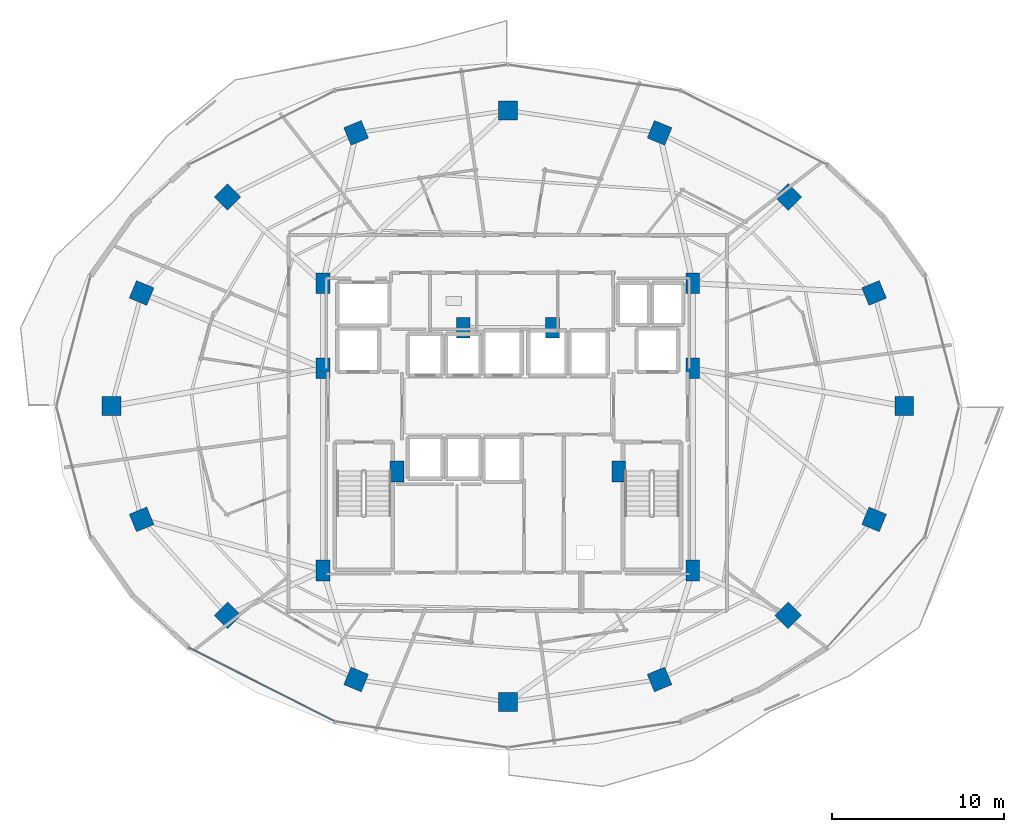
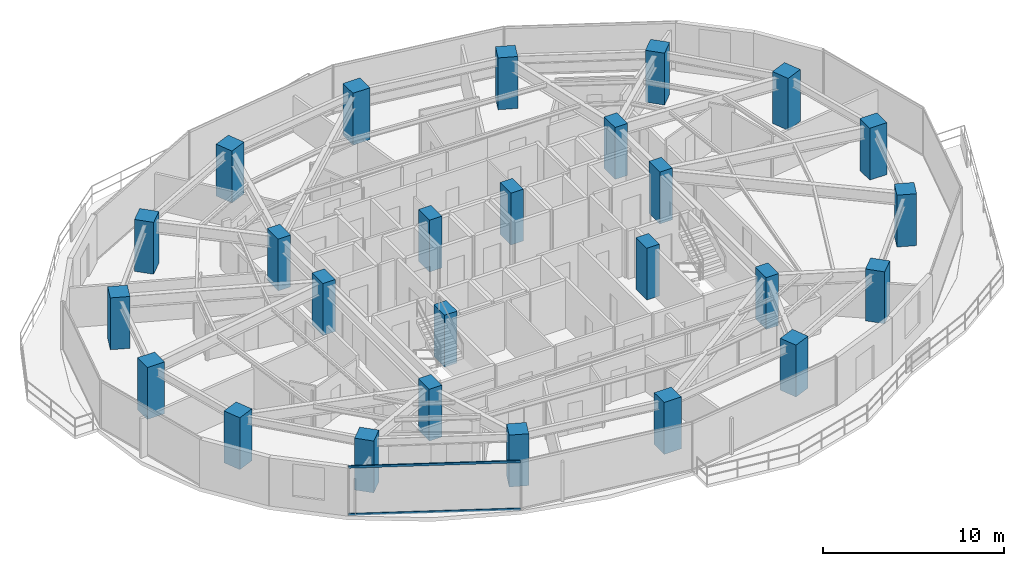
# One storey, part 1 of 30: 26 columns, 2 members, 1 element without a shape of its own.
"""IFC4 building model written with IfcOpenShell, lengths in metres."""

from ifc_helpers import new_model, si_unit, direction, frame, origin, origin_2d, place, context, subcontext, project, spatial, rectangle, hollow_rectangle, extrude, material, material_profile, profile_set, type_object, element, aggregate, save


model = new_model("IFC4")

# Units and contexts
model_context = context("Model", 3, precision=1e-05, world=origin(), true_north=direction((0.0, 1.0)))
body_context = subcontext(model_context, "Body", "Model", "MODEL_VIEW")
ifc_project = project(units=[si_unit("LENGTHUNIT", "METRE"), si_unit("AREAUNIT", "SQUARE_METRE"), si_unit("VOLUMEUNIT", "CUBIC_METRE"), si_unit("PLANEANGLEUNIT", "RADIAN"), si_unit("MASSUNIT", "GRAM", prefix="KILO")], contexts=[model_context])

# Site, building, storey
site_placement = place(None, origin())
site = spatial("IfcSite", under=ifc_project, at=site_placement, CompositionType="ELEMENT")
building_placement = place(site_placement, origin())
building = spatial("IfcBuilding", under=site, at=building_placement, Name="Vorneva Point Tower", CompositionType="ELEMENT")
storey_placement = place(building_placement, frame((0.0, 0.0, 89.300048828125)))
storey = spatial("IfcBuildingStorey", under=building, at=storey_placement, Name="L23", CompositionType="ELEMENT", Elevation=89.300048828125)

# Columns
ifc_material_1 = material(Name="Concrete B60 (C50/60)", Category="concrete")
ifc_material_profile_1 = material_profile(ifc_material_1, rectangle(XDim=1.10009765625, YDim=1.10009765625, at=origin_2d()), Name="RC-COL 1100x1100")
ifc_profile_set_1 = profile_set([ifc_material_profile_1], Name="Concrete B60 (C50/60)")
column_type_1 = type_object("IfcColumnType", Name="COL-RC1100", PredefinedType="COLUMN", material=ifc_profile_set_1)
for number, where, z_axis, x_axis, name in (
    (1, (61.050048828125, 26.0, 0.0), (0.0, 0.0, 1.0), (1.0, 0.0, 0.0), "L23 Perimeter Column P01"),
    (2, (59.29541015625, 32.582275390625, 0.0), (0.0, 0.0, 1.0), (0.923879532511, 0.382683432365, 0.0), "L23 Perimeter Column P02"),
    (3, (54.298828125, 38.162109375, 0.0), (0.0, 0.0, 1.0), (0.707106781187, 0.707106781187, 0.0), "L23 Perimeter Column P03"),
    (4, (46.82080078125, 41.890625, 0.0), (0.0, 0.0, 1.0), (0.382683432365, 0.923879532511, 0.0), "L23 Perimeter Column P04"),
    (5, (38.0, 43.199951171875, 0.0), (0.0, 0.0, 1.0), (0.0, 1.0, 0.0), "L23 Perimeter Column P05"),
    (6, (29.17919921875, 41.890625, 0.0), (0.0, 0.0, 1.0), (-0.382683432365, 0.923879532511, 0.0), "L23 Perimeter Column P06"),
    (7, (21.701171875, 38.162109375, 0.0), (0.0, 0.0, 1.0), (-0.707106781187, 0.707106781187, 0.0), "L23 Perimeter Column P07"),
    (8, (16.70458984375, 32.582275390625, 0.0), (0.0, 0.0, 1.0), (-0.923879532511, 0.382683432365, 0.0), "L23 Perimeter Column P08"),
    (9, (14.949951171875, 26.0, 0.0), (0.0, 0.0, 1.0), (-1.0, 0.0, 0.0), "L23 Perimeter Column P09"),
    (10, (16.70458984375, 19.417724609375, 0.0), (0.0, 0.0, 1.0), (-0.923879532511, -0.382683432365, 0.0), "L23 Perimeter Column P10"),
    (11, (21.701171875, 13.837890625, 0.0), (0.0, 0.0, 1.0), (-0.707106781187, -0.707106781187, 0.0), "L23 Perimeter Column P11"),
    (12, (29.17919921875, 10.109375, 0.0), (0.0, 0.0, 1.0), (-0.382683432365, -0.923879532511, 0.0), "L23 Perimeter Column P12"),
    (13, (38.0, 8.800048828125, 0.0), (0.0, 0.0, 1.0), (0.0, -1.0, 0.0), "L23 Perimeter Column P13"),
    (14, (46.82080078125, 10.109375, 0.0), (0.0, 0.0, 1.0), (0.382683432365, -0.923879532511, 0.0), "L23 Perimeter Column P14"),
    (15, (54.298828125, 13.837890625, 0.0), (0.0, 0.0, 1.0), (0.707106781187, -0.707106781187, 0.0), "L23 Perimeter Column P15"),
    (16, (59.29541015625, 19.417724609375, 0.0), (0.0, 0.0, 1.0), (0.923879532511, -0.382683432365, 0.0), "L23 Perimeter Column P16"),
):
    element("IfcColumn", number, at=place(storey_placement, frame(where, z_axis=z_axis, x_axis=x_axis)), inside=storey, type_object=column_type_1, Name=name, PredefinedType="COLUMN", context=body_context, shape_type="SweptSolid", body=[
        extrude(rectangle(XDim=1.10009765625, YDim=1.10009765625, at=origin_2d()), origin(), (0.0, 0.0, 1.0), 3.5),
    ])
ifc_material_profile_2 = material_profile(ifc_material_1, rectangle(XDim=0.800048828125, YDim=1.199951171875, at=origin_2d()), Name="RC-PIL 1200x800")
ifc_profile_set_2 = profile_set([ifc_material_profile_2], Name="Concrete B60 (C50/60)")
column_type_2 = type_object("IfcColumnType", Name="PIL-RC1200x800", PredefinedType="PILASTER", material=ifc_profile_set_2)
for number, where, z_axis, x_axis, name in (
    (17, (27.25, 16.449951171875, 0.0), (0.0, 0.0, 1.0), (1.0, 0.0, 0.0), "L23 Core Pilaster CP1"),
    (18, (27.25, 28.199951171875, 0.0), (0.0, 0.0, 1.0), (1.0, 0.0, 0.0), "L23 Core Pilaster CP2"),
    (19, (27.25, 33.14990234375, 0.0), (0.0, 0.0, 1.0), (1.0, 0.0, 0.0), "L23 Core Pilaster CP3"),
    (20, (31.550048828125, 22.199951171875, 0.0), (0.0, 0.0, 1.0), (1.0, 0.0, 0.0), "L23 Core Pilaster CP4"),
    (21, (48.75, 33.14990234375, 0.0), (0.0, 0.0, 1.0), (1.0, 0.0, 0.0), "L23 Core Pilaster CP5"),
    (22, (48.75, 28.199951171875, 0.0), (0.0, 0.0, 1.0), (1.0, 0.0, 0.0), "L23 Core Pilaster CP6"),
    (23, (48.75, 16.449951171875, 0.0), (0.0, 0.0, 1.0), (1.0, 0.0, 0.0), "L23 Core Pilaster CP7"),
    (24, (44.449951171875, 22.199951171875, 0.0), (0.0, 0.0, 1.0), (1.0, 0.0, 0.0), "L23 Core Pilaster CP8"),
    (25, (35.39990234375, 30.550048828125, 0.0), (0.0, 0.0, 1.0), (1.0, 0.0, 0.0), "L23 Core Pilaster CP9"),
    (26, (40.60009765625, 30.550048828125, 0.0), (0.0, 0.0, 1.0), (1.0, 0.0, 0.0), "L23 Core Pilaster CP10"),
):
    element("IfcColumn", number, at=place(storey_placement, frame(where, z_axis=z_axis, x_axis=x_axis)), inside=storey, type_object=column_type_2, Name=name, PredefinedType="PILASTER", context=body_context, shape_type="SweptSolid", body=[
        extrude(rectangle(XDim=0.800048828125, YDim=1.199951171875, at=origin_2d()), origin(), (0.0, 0.0, 1.0), 3.5),
    ])

# Curtain wall, members
ifc_material_2 = material(Name="Pale anodised aluminium", Category="aluminium")
curtain_wall_type = type_object("IfcCurtainWallType", Name="CW-HTL-SYS", PredefinedType="NOTDEFINED", material=ifc_material_2)
curtain_wall_placement = place(storey_placement, origin())
curtain_wall = element("IfcCurtainWall", 27, at=curtain_wall_placement, inside=storey, type_object=curtain_wall_type, Name="L23 Unitised Curtain Wall CW-L23-R04", PredefinedType="NOTDEFINED")
ifc_material_profile_3 = material_profile(ifc_material_2, hollow_rectangle(XDim=0.074951171875, YDim=0.14990234375, WallThickness=0.00390625, at=origin_2d()), Name="AL-TRN 150x75x4")
ifc_profile_set_3 = profile_set([ifc_material_profile_3], Name="Pale anodised aluminium")
member_type = type_object("IfcMemberType", Name="CW-TRN-150", PredefinedType="USERDEFINED", material=ifc_profile_set_3)
member_1_placement = place(storey_placement, frame((19.4384765625, 11.9638671875, 0.02001953125), z_axis=(0.892536035732, -0.450976080207, 0.0), x_axis=(0.450976080207, 0.892536035732, 0.0)))
member_1 = element("IfcMember", 28, at=member_1_placement, type_object=member_type, Name="CW-L23-R04 Transom 01.1", ObjectType="TRANSOM", PredefinedType="USERDEFINED", context=body_context, shape_type="SweptSolid", body=[
    extrude(hollow_rectangle(XDim=0.074951171875, YDim=0.14990234375, WallThickness=0.00390625, at=origin_2d()), origin(), (0.0, 0.0, 1.0), 9.54150390625),
])
member_2_placement = place(storey_placement, frame((19.4384765625, 11.9638671875, 3.219970703125), z_axis=(0.892536035732, -0.450976080207, 0.0), x_axis=(0.450976080207, 0.892536035732, 0.0)))
member_2 = element("IfcMember", 29, at=member_2_placement, type_object=member_type, Name="CW-L23-R04 Transom 01.2", ObjectType="TRANSOM", PredefinedType="USERDEFINED", context=body_context, shape_type="SweptSolid", body=[
    extrude(hollow_rectangle(XDim=0.074951171875, YDim=0.14990234375, WallThickness=0.00390625, at=origin_2d()), origin(), (0.0, 0.0, 1.0), 9.54150390625),
])
aggregate(curtain_wall, [member_1, member_2])

save(model, "model.ifc")
